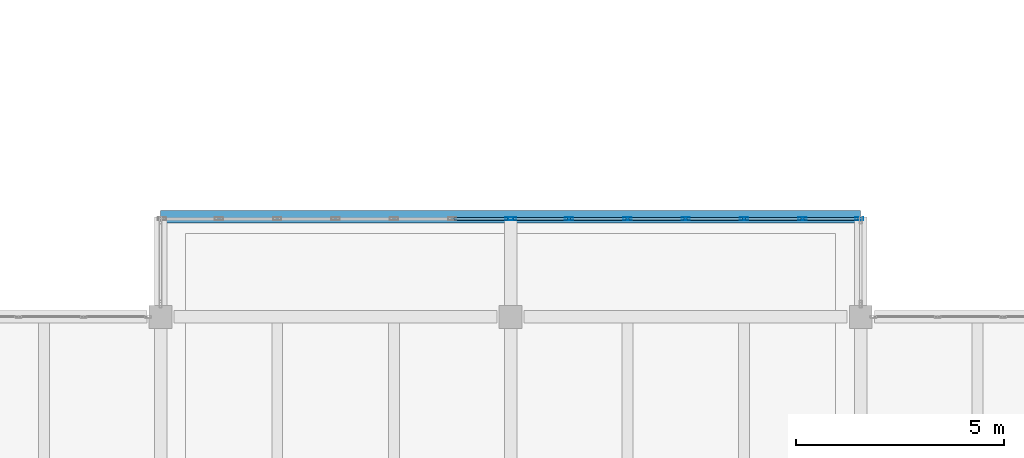
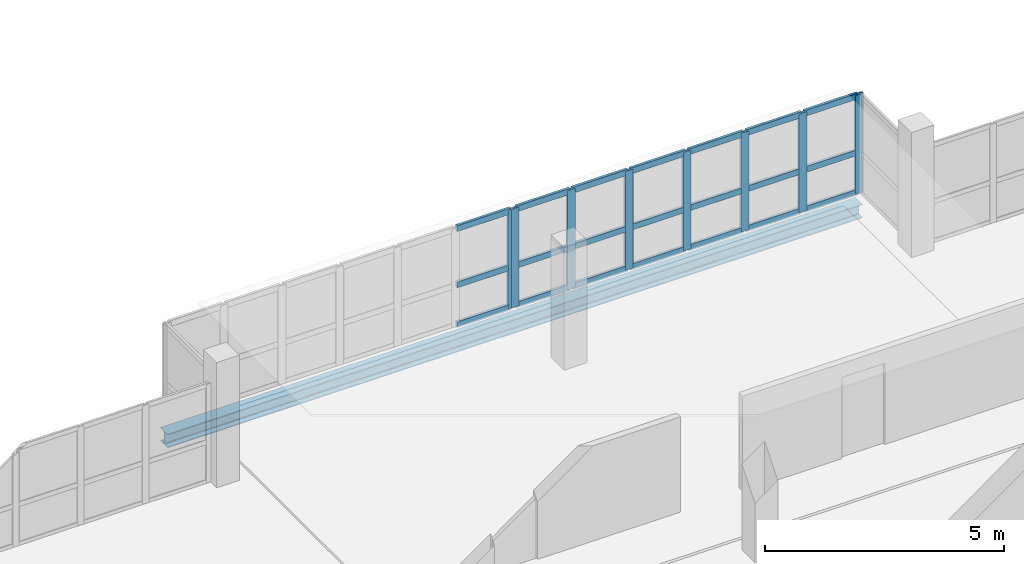
# One storey, part 13 of 24: 29 members, 1 beam, 2 elements without a shape of their own.
"""IFC4 building model written with IfcOpenShell, lengths in metres."""

import ifcopenshell
import ifcopenshell.guid

model = None  # the IFC model being written
_history = None  # IfcOwnerHistory: only IFC2X3 demands one
_inside = {}  # id of a spatial element -> (the spatial element, [elements in it])
_under = {}  # id of a project, library or spatial element -> (it, [spatial elements below it])
_declared = {}  # id of a project -> (the project, [libraries it declares])
_typed = {}  # id of a type object -> (the type object, [elements of that type])
_made_of = {}  # id of a material, layer set ... -> (it, [elements and type objects made of it])


def new_model(schema):
    """Start an empty IFC model of exactly this schema.

    Asked for "IFC4X3", IfcOpenShell would pick the latest addendum, in which some entities
    have other attributes; the version numbers below select the first issue.
    IFC2X3 requires an IfcOwnerHistory on every rooted entity: one is made here for all.
    """
    global model, _history
    if schema == "IFC4X3":
        model = ifcopenshell.file(schema_version=(4, 3, 0, 0))
    else:
        model = ifcopenshell.file(schema=schema)
    _inside.clear()
    _under.clear()
    _declared.clear()
    _typed.clear()
    _made_of.clear()
    _history = None
    if model.schema == "IFC2X3":
        org = make("IfcOrganization", Name="unknown")
        user = make(
            "IfcPersonAndOrganization",
            ThePerson=make("IfcPerson", FamilyName="unknown"),
            TheOrganization=org,
        )
        app = make(
            "IfcApplication",
            ApplicationDeveloper=org,
            Version="unknown",
            ApplicationFullName="unknown",
            ApplicationIdentifier="unknown",
        )
        _history = make(
            "IfcOwnerHistory",
            OwningUser=user,
            OwningApplication=app,
            ChangeAction="ADDED",
            CreationDate=0,
        )
    return model


def make(cls, **values):
    """One entity of the class cls with the attributes given. An attribute that is None is left unset."""
    return model.create_entity(
        cls, **{name: value for name, value in values.items() if value is not None}
    )


def rooted(cls, **values):
    """An entity with a GlobalId (a new one), such as an element, a storey or a relation."""
    return make(cls, GlobalId=ifcopenshell.guid.new(), OwnerHistory=_history, **values)


def si_unit(unit_type, name, prefix=None):
    """IfcSIUnit, for example si_unit("LENGTHUNIT", "METRE", prefix="MILLI")."""
    return make("IfcSIUnit", UnitType=unit_type, Prefix=prefix, Name=name)


def assignment(units):
    """IfcUnitAssignment: the units of a project."""
    return None if units is None else make("IfcUnitAssignment", Units=units)


def point(xyz):
    """IfcCartesianPoint."""
    return None if xyz is None else make("IfcCartesianPoint", Coordinates=xyz)


def direction(xyz):
    """IfcDirection."""
    return None if xyz is None else make("IfcDirection", DirectionRatios=xyz)


def frame(location, z_axis=None, x_axis=None):
    """IfcAxis2Placement3D, a coordinate frame: its origin and axes. An axis left out is left unset."""
    return make(
        "IfcAxis2Placement3D",
        Location=point(location),
        Axis=direction(z_axis),
        RefDirection=direction(x_axis),
    )


def frame_2d(location, x_axis=None):
    """IfcAxis2Placement2D, a coordinate frame in the plane: its origin and x axis."""
    return make(
        "IfcAxis2Placement2D", Location=point(location), RefDirection=direction(x_axis)
    )


def origin():
    """The frame at (0, 0, 0) with its axes left unset."""
    return frame((0.0, 0.0, 0.0))


def origin_2d():
    """The frame at (0, 0) in the plane with its x axis left unset."""
    return frame_2d((0.0, 0.0))


def place(relative_to, where):
    """IfcLocalPlacement: puts the frame where relative to a parent placement (None: the world)."""
    return make(
        "IfcLocalPlacement", PlacementRelTo=relative_to, RelativePlacement=where
    )


def context(
    kind, dimensions, precision=None, world=None, true_north=None, identifier=None
):
    """IfcGeometricRepresentationContext, for example the 3D "Model" context."""
    return make(
        "IfcGeometricRepresentationContext",
        ContextIdentifier=identifier,
        ContextType=kind,
        CoordinateSpaceDimension=dimensions,
        Precision=precision,
        WorldCoordinateSystem=world,
        TrueNorth=true_north,
    )


def subcontext(parent, identifier, kind, view, scale=None):
    """IfcGeometricRepresentationSubContext, for example "Body" below "Model"."""
    return make(
        "IfcGeometricRepresentationSubContext",
        ContextIdentifier=identifier,
        ContextType=kind,
        ParentContext=parent,
        TargetScale=scale,
        TargetView=view,
    )


def project(units=None, contexts=None):
    """IfcProject with its units and contexts."""
    return rooted(
        "IfcProject",
        Name="project",
        RepresentationContexts=contexts,
        UnitsInContext=assignment(units),
    )


def spatial(cls, under=None, at=None, **own):
    """A site, building, storey or space (cls), placed at a placement, below another one or the project."""
    s = rooted(cls, ObjectPlacement=at, **own)
    if under is not None:
        _under.setdefault(under.id(), (under, []))[1].append(s)
    return s


def profile(cls, at=None, kind="AREA", **sizes):
    """A parametric profile (cls). Its sizes go by their IFC names, for example OverallWidth=200.0."""
    return make(cls, ProfileType=kind, Position=at, **sizes)


def hollow_rectangle(**sizes):
    """IfcRectangleHollowProfileDef."""
    return profile("IfcRectangleHollowProfileDef", **sizes)


def i_section(**sizes):
    """IfcIShapeProfileDef."""
    return profile("IfcIShapeProfileDef", **sizes)


def extrude(swept, where, along, depth):
    """IfcExtrudedAreaSolid: the profile swept, set in the frame where, extruded along a direction by depth."""
    return make(
        "IfcExtrudedAreaSolid",
        SweptArea=swept,
        Position=where,
        ExtrudedDirection=direction(along),
        Depth=depth,
    )


def shape(context_of_items, identifier, shape_type, items):
    """IfcShapeRepresentation: the items that make up one representation, for example the "Body"."""
    return make(
        "IfcShapeRepresentation",
        ContextOfItems=context_of_items,
        RepresentationIdentifier=identifier,
        RepresentationType=shape_type,
        Items=items,
    )


def material(Name=None, Category=None):
    """IfcMaterial."""
    return make("IfcMaterial", Name=Name, Category=Category)


def layer(
    of_material, thickness, ventilated=None, Name=None, Category=None, Priority=None
):
    """IfcMaterialLayer: one layer of a wall or slab, of a material (None: an air gap)."""
    return make(
        "IfcMaterialLayer",
        Material=of_material,
        LayerThickness=thickness,
        IsVentilated=ventilated,
        Name=Name,
        Category=Category,
        Priority=Priority,
    )


def layer_set(layers, Name=None):
    """IfcMaterialLayerSet."""
    return make("IfcMaterialLayerSet", MaterialLayers=layers, LayerSetName=Name)


def material_profile(
    of_material, cross_section, Name=None, Category=None, Priority=None
):
    """IfcMaterialProfile: a cross section and its material."""
    return make(
        "IfcMaterialProfile",
        Name=Name,
        Material=of_material,
        Profile=cross_section,
        Priority=Priority,
        Category=Category,
    )


def profile_set(profiles, Name=None, composite=None):
    """IfcMaterialProfileSet."""
    return make(
        "IfcMaterialProfileSet",
        Name=Name,
        MaterialProfiles=profiles,
        CompositeProfile=composite,
    )


def made_of(thing, what):
    """Note that an element or type object is made of a material, layer set ...; save() writes the relation."""
    if what is not None:
        _made_of.setdefault(what.id(), (what, []))[1].append(thing)
    return thing


def type_object(cls, material=None, **own):
    """A type object (cls), such as IfcWallType, which elements share."""
    return made_of(rooted(cls, **own), material)


def element(
    cls,
    number,
    at=None,
    inside=None,
    cuts=None,
    type_object=None,
    material=None,
    context=None,
    identifier="Body",
    shape_type=None,
    held_by="IfcProductDefinitionShape",
    body=None,
    shapes=None,
    **own,
):
    """One element of the class cls, such as IfcWall. Its Tag is "e" and its number.

    at: its placement. inside: the storey or other place that contains it. cuts: it is an
    opening in that element (IfcRelVoidsElement). A single representation is given by context,
    identifier, shape_type and body (its items); several are given by shapes. held_by: the class
    of the entity that holds the representations. save() writes the other relations.
    """
    e = rooted(cls, Tag="e%d" % number, ObjectPlacement=at, **own)
    if body is not None:
        shapes = [shape(context, identifier, shape_type, body)]
    if shapes is not None:
        e.Representation = make(held_by, Representations=shapes)
    if inside is not None:
        _inside.setdefault(inside.id(), (inside, []))[1].append(e)
    if cuts is not None:
        rooted(
            "IfcRelVoidsElement", RelatingBuildingElement=cuts, RelatedOpeningElement=e
        )
    if type_object is not None:
        _typed.setdefault(type_object.id(), (type_object, []))[1].append(e)
    return made_of(e, material)


def aggregate(whole, parts):
    """IfcRelAggregates: a whole, such as a stair, and the parts it consists of."""
    return rooted("IfcRelAggregates", RelatingObject=whole, RelatedObjects=parts)


def save(model, path):
    """Write the relations noted so far, then the file.

    IfcRelAggregates (storeys below a building ...), IfcRelContainedInSpatialStructure (elements
    in a storey), IfcRelDefinesByType, IfcRelAssociatesMaterial and IfcRelDeclares: one each for
    every whole, place, type object, material and project.
    """
    for whole, parts in _under.values():
        aggregate(whole, parts)
    for where, things in _inside.values():
        rooted(
            "IfcRelContainedInSpatialStructure",
            RelatedElements=things,
            RelatingStructure=where,
        )
    for kind, things in _typed.values():
        rooted("IfcRelDefinesByType", RelatedObjects=things, RelatingType=kind)
    for what, things in _made_of.values():
        rooted("IfcRelAssociatesMaterial", RelatedObjects=things, RelatingMaterial=what)
    for by, libraries in _declared.values():
        rooted("IfcRelDeclares", RelatingContext=by, RelatedDefinitions=libraries)
    model.write(path)


model = new_model("IFC4")

# Units and contexts
model_context = context("Model", 3, precision=1e-05, world=origin(), true_north=direction((0.0, 1.0)))
body_context = subcontext(model_context, "Body", "Model", "MODEL_VIEW")
ifc_project = project(units=[si_unit("LENGTHUNIT", "METRE"), si_unit("AREAUNIT", "SQUARE_METRE"), si_unit("VOLUMEUNIT", "CUBIC_METRE"), si_unit("PLANEANGLEUNIT", "RADIAN"), si_unit("MASSUNIT", "GRAM", prefix="KILO"), si_unit("THERMODYNAMICTEMPERATUREUNIT", "KELVIN"), si_unit("POWERUNIT", "WATT")], contexts=[model_context])

# Site, building, storey
site_placement = place(None, origin())
site = spatial("IfcSite", under=ifc_project, at=site_placement, CompositionType="ELEMENT")
building_placement = place(site_placement, origin())
building = spatial("IfcBuilding", under=site, at=building_placement, Name="Mavoryth Pier Ferry Terminal", CompositionType="ELEMENT")
storey_placement = place(building_placement, frame((0.0, 0.0, 16.320068359375)))
storey = spatial("IfcBuildingStorey", under=building, at=storey_placement, Name="L04", CompositionType="ELEMENT", Elevation=16.320068359375)

# Curtain wall, member
ifc_material_1 = material(Name="Anodised Aluminium and Solar-Control Low-E Glass", Category="aluminium")
ifc_layer = layer(ifc_material_1, 0.260009765625, Name="Anodised Aluminium and Solar-Control Low-E Glass", Category="aluminium")
ifc_layer_set = layer_set([ifc_layer], Name="Anodised Aluminium and Solar-Control Low-E Glass - CW-VTSBridge-Mod1500")
curtain_wall_type = type_object("IfcCurtainWallType", Name="CW-VTSBridge-Mod1500", PredefinedType="USERDEFINED", material=ifc_layer_set)
curtain_wall_1_placement = place(storey_placement, origin())
curtain_wall_1 = element("IfcCurtainWall", 1, at=curtain_wall_1_placement, inside=storey, type_object=curtain_wall_type, Name="Curtain Wall CW-0444-152", ObjectType="UNITISED CURTAIN WALL", PredefinedType="USERDEFINED")
ifc_material_2 = material(Name="Anodised Aluminium EN AW-6063", Category="aluminium")
ifc_material_profile_1 = material_profile(ifc_material_2, hollow_rectangle(XDim=0.070068359375, YDim=0.199951171875, WallThickness=0.0048828125, InnerFilletRadius=0.0048828125, OuterFilletRadius=0.010009765625, at=origin_2d()), Name="AL-MULL 200x70x5", Category="aluminium")
ifc_profile_set_1 = profile_set([ifc_material_profile_1], Name="Anodised Aluminium EN AW-6063 - AL-MULL 200x70x5")
member_type_1 = type_object("IfcMemberType", Name="Mullion-Alum-200x70", PredefinedType="MULLION", material=ifc_profile_set_1)
member_1_placement = place(storey_placement, frame((58.764892578125, 24.35009765625, 0.0), z_axis=(0.0, 0.0, 1.0), x_axis=(0.0, -1.0, 0.0)))
member_1 = element("IfcMember", 2, at=member_1_placement, type_object=member_type_1, Name="CW07 mullion 1", PredefinedType="MULLION", context=body_context, shape_type="SweptSolid", body=[
    extrude(hollow_rectangle(XDim=0.070068359375, YDim=0.199951171875, WallThickness=0.0048828125, InnerFilletRadius=0.0048828125, OuterFilletRadius=0.010009765625, at=origin_2d()), origin(), (0.0, 0.0, 1.0), 2.52490234375),
])

# Curtain wall, members
curtain_wall_2_placement = place(storey_placement, origin())
curtain_wall_2 = element("IfcCurtainWall", 3, at=curtain_wall_2_placement, inside=storey, type_object=curtain_wall_type, Name="Curtain Wall CW-0444-154", ObjectType="UNITISED CURTAIN WALL", PredefinedType="USERDEFINED")
member_2_placement = place(storey_placement, frame((67.1650390625, 24.35009765625, 0.0), z_axis=(0.0, 0.0, 1.0), x_axis=(0.0, -1.0, 0.0)))
member_2 = element("IfcMember", 4, at=member_2_placement, type_object=member_type_1, Name="CW07 mullion 1", PredefinedType="MULLION", context=body_context, shape_type="SweptSolid", body=[
    extrude(hollow_rectangle(XDim=0.070068359375, YDim=0.199951171875, WallThickness=0.0048828125, InnerFilletRadius=0.0048828125, OuterFilletRadius=0.010009765625, at=origin_2d()), origin(), (0.0, 0.0, 1.0), 2.52490234375),
])
member_3_placement = place(storey_placement, frame((65.800048828125, 24.35009765625, 0.0), z_axis=(0.0, 0.0, 1.0), x_axis=(0.0, -1.0, 0.0)))
member_3 = element("IfcMember", 5, at=member_3_placement, type_object=member_type_1, Name="CW07 mullion 2", PredefinedType="MULLION", context=body_context, shape_type="SweptSolid", body=[
    extrude(hollow_rectangle(XDim=0.070068359375, YDim=0.199951171875, WallThickness=0.0048828125, InnerFilletRadius=0.0048828125, OuterFilletRadius=0.010009765625, at=origin_2d()), origin(), (0.0, 0.0, 1.0), 2.52490234375),
])
member_4_placement = place(storey_placement, frame((64.39990234375, 24.35009765625, 0.0), z_axis=(0.0, 0.0, 1.0), x_axis=(0.0, -1.0, 0.0)))
member_4 = element("IfcMember", 6, at=member_4_placement, type_object=member_type_1, Name="CW07 mullion 3", PredefinedType="MULLION", context=body_context, shape_type="SweptSolid", body=[
    extrude(hollow_rectangle(XDim=0.070068359375, YDim=0.199951171875, WallThickness=0.0048828125, InnerFilletRadius=0.0048828125, OuterFilletRadius=0.010009765625, at=origin_2d()), origin(), (0.0, 0.0, 1.0), 2.52490234375),
])
member_5_placement = place(storey_placement, frame((63.0, 24.35009765625, 0.0), z_axis=(0.0, 0.0, 1.0), x_axis=(0.0, -1.0, 0.0)))
member_5 = element("IfcMember", 7, at=member_5_placement, type_object=member_type_1, Name="CW07 mullion 4", PredefinedType="MULLION", context=body_context, shape_type="SweptSolid", body=[
    extrude(hollow_rectangle(XDim=0.070068359375, YDim=0.199951171875, WallThickness=0.0048828125, InnerFilletRadius=0.0048828125, OuterFilletRadius=0.010009765625, at=origin_2d()), origin(), (0.0, 0.0, 1.0), 2.52490234375),
])
member_6_placement = place(storey_placement, frame((61.60009765625, 24.35009765625, 0.0), z_axis=(0.0, 0.0, 1.0), x_axis=(0.0, -1.0, 0.0)))
member_6 = element("IfcMember", 8, at=member_6_placement, type_object=member_type_1, Name="CW07 mullion 5", PredefinedType="MULLION", context=body_context, shape_type="SweptSolid", body=[
    extrude(hollow_rectangle(XDim=0.070068359375, YDim=0.199951171875, WallThickness=0.0048828125, InnerFilletRadius=0.0048828125, OuterFilletRadius=0.010009765625, at=origin_2d()), origin(), (0.0, 0.0, 1.0), 2.52490234375),
])
member_7_placement = place(storey_placement, frame((60.199951171875, 24.35009765625, 0.0), z_axis=(0.0, 0.0, 1.0), x_axis=(0.0, -1.0, 0.0)))
member_7 = element("IfcMember", 9, at=member_7_placement, type_object=member_type_1, Name="CW07 mullion 6", PredefinedType="MULLION", context=body_context, shape_type="SweptSolid", body=[
    extrude(hollow_rectangle(XDim=0.070068359375, YDim=0.199951171875, WallThickness=0.0048828125, InnerFilletRadius=0.0048828125, OuterFilletRadius=0.010009765625, at=origin_2d()), origin(), (0.0, 0.0, 1.0), 2.52490234375),
])
member_8_placement = place(storey_placement, frame((58.8349609375, 24.35009765625, 0.0), z_axis=(0.0, 0.0, 1.0), x_axis=(0.0, -1.0, 0.0)))
member_8 = element("IfcMember", 10, at=member_8_placement, type_object=member_type_1, Name="CW07 mullion 7", PredefinedType="MULLION", context=body_context, shape_type="SweptSolid", body=[
    extrude(hollow_rectangle(XDim=0.070068359375, YDim=0.199951171875, WallThickness=0.0048828125, InnerFilletRadius=0.0048828125, OuterFilletRadius=0.010009765625, at=origin_2d()), origin(), (0.0, 0.0, 1.0), 2.52490234375),
])

# Beam
ifc_material_3 = material(Name="Steel S355J2", Category="steel")
ifc_material_profile_2 = material_profile(ifc_material_3, i_section(OverallWidth=0.300048828125, OverallDepth=0.35009765625, WebThickness=0.010009765625, FlangeThickness=0.017578125, FilletRadius=0.027099609375, at=origin_2d()), Name="HEA 360", Category="steel")
ifc_profile_set_2 = profile_set([ifc_material_profile_2], Name="Steel S355J2 - HEA 360")
beam_type = type_object("IfcBeamType", Name="Spandrel-Steel-HEA360", PredefinedType="SPANDREL", material=ifc_profile_set_2)
beam_placement = place(storey_placement, frame((50.39990234375, 24.39990234375, -0.43505859375), z_axis=(1.0, 0.0, 0.0), x_axis=(0.0, 1.0, 0.0)))
element("IfcBeam", 11, at=beam_placement, inside=storey, type_object=beam_type, Name="Beam B04-SP03-1599", PredefinedType="SPANDREL", context=body_context, shape_type="SweptSolid", body=[
    extrude(i_section(OverallWidth=0.300048828125, OverallDepth=0.35009765625, WebThickness=0.010009765625, FlangeThickness=0.017578125, FilletRadius=0.027099609375, at=origin_2d()), origin(), (0.0, 0.0, 1.0), 16.800048828125),
])

# Member
ifc_material_profile_3 = material_profile(ifc_material_2, hollow_rectangle(XDim=0.070068359375, YDim=0.155029296875, WallThickness=0.00390625, InnerFilletRadius=0.00390625, OuterFilletRadius=0.008056640625, at=origin_2d()), Name="AL-TRAN 155x70x4", Category="aluminium")
ifc_profile_set_3 = profile_set([ifc_material_profile_3], Name="Anodised Aluminium EN AW-6063 - AL-TRAN 155x70x4")
member_type_2 = type_object("IfcMemberType", Name="Transom-Alum-155x70", PredefinedType="USERDEFINED", material=ifc_profile_set_3)
member_9_placement = place(storey_placement, frame((58.72998046875, 24.35009765625, 0.034912109375), z_axis=(-1.0, 0.0, 0.0), x_axis=(0.0, -1.0, 0.0)))
member_9 = element("IfcMember", 12, at=member_9_placement, type_object=member_type_2, Name="CW07 transom 1.1", ObjectType="TRANSOM", PredefinedType="USERDEFINED", context=body_context, shape_type="SweptSolid", body=[
    extrude(hollow_rectangle(XDim=0.070068359375, YDim=0.155029296875, WallThickness=0.00390625, InnerFilletRadius=0.00390625, OuterFilletRadius=0.008056640625, at=origin_2d()), origin(), (0.0, 0.0, 1.0), 1.294921875),
])

member_10_placement = place(storey_placement, frame((58.72998046875, 24.35009765625, 1.050048828125), z_axis=(-1.0, 0.0, 0.0), x_axis=(0.0, -1.0, 0.0)))
member_10 = element("IfcMember", 13, at=member_10_placement, type_object=member_type_2, Name="CW07 transom 1.2", ObjectType="TRANSOM", PredefinedType="USERDEFINED", context=body_context, shape_type="SweptSolid", body=[
    extrude(hollow_rectangle(XDim=0.070068359375, YDim=0.155029296875, WallThickness=0.00390625, InnerFilletRadius=0.00390625, OuterFilletRadius=0.008056640625, at=origin_2d()), origin(), (0.0, 0.0, 1.0), 1.294921875),
])

member_11_placement = place(storey_placement, frame((58.72998046875, 24.35009765625, 2.489990234375), z_axis=(-1.0, 0.0, 0.0), x_axis=(0.0, -1.0, 0.0)))
member_11 = element("IfcMember", 14, at=member_11_placement, type_object=member_type_2, Name="CW07 transom 1.3", ObjectType="TRANSOM", PredefinedType="USERDEFINED", context=body_context, shape_type="SweptSolid", body=[
    extrude(hollow_rectangle(XDim=0.070068359375, YDim=0.155029296875, WallThickness=0.00390625, InnerFilletRadius=0.00390625, OuterFilletRadius=0.008056640625, at=origin_2d()), origin(), (0.0, 0.0, 1.0), 1.294921875),
])

aggregate(curtain_wall_1, [member_1, member_9, member_10, member_11])

member_12_placement = place(storey_placement, frame((67.1298828125, 24.35009765625, 0.034912109375), z_axis=(-1.0, 0.0, 0.0), x_axis=(0.0, -1.0, 0.0)))
member_12 = element("IfcMember", 15, at=member_12_placement, type_object=member_type_2, Name="CW07 transom 1.1", ObjectType="TRANSOM", PredefinedType="USERDEFINED", context=body_context, shape_type="SweptSolid", body=[
    extrude(hollow_rectangle(XDim=0.070068359375, YDim=0.155029296875, WallThickness=0.00390625, InnerFilletRadius=0.00390625, OuterFilletRadius=0.008056640625, at=origin_2d()), origin(), (0.0, 0.0, 1.0), 1.294921875),
])

member_13_placement = place(storey_placement, frame((67.1298828125, 24.35009765625, 1.050048828125), z_axis=(-1.0, 0.0, 0.0), x_axis=(0.0, -1.0, 0.0)))
member_13 = element("IfcMember", 16, at=member_13_placement, type_object=member_type_2, Name="CW07 transom 1.2", ObjectType="TRANSOM", PredefinedType="USERDEFINED", context=body_context, shape_type="SweptSolid", body=[
    extrude(hollow_rectangle(XDim=0.070068359375, YDim=0.155029296875, WallThickness=0.00390625, InnerFilletRadius=0.00390625, OuterFilletRadius=0.008056640625, at=origin_2d()), origin(), (0.0, 0.0, 1.0), 1.294921875),
])

member_14_placement = place(storey_placement, frame((67.1298828125, 24.35009765625, 2.489990234375), z_axis=(-1.0, 0.0, 0.0), x_axis=(0.0, -1.0, 0.0)))
member_14 = element("IfcMember", 17, at=member_14_placement, type_object=member_type_2, Name="CW07 transom 1.3", ObjectType="TRANSOM", PredefinedType="USERDEFINED", context=body_context, shape_type="SweptSolid", body=[
    extrude(hollow_rectangle(XDim=0.070068359375, YDim=0.155029296875, WallThickness=0.00390625, InnerFilletRadius=0.00390625, OuterFilletRadius=0.008056640625, at=origin_2d()), origin(), (0.0, 0.0, 1.0), 1.294921875),
])

member_15_placement = place(storey_placement, frame((65.764892578125, 24.35009765625, 0.034912109375), z_axis=(-1.0, 0.0, 0.0), x_axis=(0.0, -1.0, 0.0)))
member_15 = element("IfcMember", 18, at=member_15_placement, type_object=member_type_2, Name="CW07 transom 2.1", ObjectType="TRANSOM", PredefinedType="USERDEFINED", context=body_context, shape_type="SweptSolid", body=[
    extrude(hollow_rectangle(XDim=0.070068359375, YDim=0.155029296875, WallThickness=0.00390625, InnerFilletRadius=0.00390625, OuterFilletRadius=0.008056640625, at=origin_2d()), origin(), (0.0, 0.0, 1.0), 1.329833984375),
])

member_16_placement = place(storey_placement, frame((65.764892578125, 24.35009765625, 1.050048828125), z_axis=(-1.0, 0.0, 0.0), x_axis=(0.0, -1.0, 0.0)))
member_16 = element("IfcMember", 19, at=member_16_placement, type_object=member_type_2, Name="CW07 transom 2.2", ObjectType="TRANSOM", PredefinedType="USERDEFINED", context=body_context, shape_type="SweptSolid", body=[
    extrude(hollow_rectangle(XDim=0.070068359375, YDim=0.155029296875, WallThickness=0.00390625, InnerFilletRadius=0.00390625, OuterFilletRadius=0.008056640625, at=origin_2d()), origin(), (0.0, 0.0, 1.0), 1.329833984375),
])

member_17_placement = place(storey_placement, frame((65.764892578125, 24.35009765625, 2.489990234375), z_axis=(-1.0, 0.0, 0.0), x_axis=(0.0, -1.0, 0.0)))
member_17 = element("IfcMember", 20, at=member_17_placement, type_object=member_type_2, Name="CW07 transom 2.3", ObjectType="TRANSOM", PredefinedType="USERDEFINED", context=body_context, shape_type="SweptSolid", body=[
    extrude(hollow_rectangle(XDim=0.070068359375, YDim=0.155029296875, WallThickness=0.00390625, InnerFilletRadius=0.00390625, OuterFilletRadius=0.008056640625, at=origin_2d()), origin(), (0.0, 0.0, 1.0), 1.329833984375),
])

member_18_placement = place(storey_placement, frame((64.364990234375, 24.35009765625, 0.034912109375), z_axis=(-1.0, 0.0, 0.0), x_axis=(0.0, -1.0, 0.0)))
member_18 = element("IfcMember", 21, at=member_18_placement, type_object=member_type_2, Name="CW07 transom 3.1", ObjectType="TRANSOM", PredefinedType="USERDEFINED", context=body_context, shape_type="SweptSolid", body=[
    extrude(hollow_rectangle(XDim=0.070068359375, YDim=0.155029296875, WallThickness=0.00390625, InnerFilletRadius=0.00390625, OuterFilletRadius=0.008056640625, at=origin_2d()), origin(), (0.0, 0.0, 1.0), 1.330078125),
])

member_19_placement = place(storey_placement, frame((64.364990234375, 24.35009765625, 1.050048828125), z_axis=(-1.0, 0.0, 0.0), x_axis=(0.0, -1.0, 0.0)))
member_19 = element("IfcMember", 22, at=member_19_placement, type_object=member_type_2, Name="CW07 transom 3.2", ObjectType="TRANSOM", PredefinedType="USERDEFINED", context=body_context, shape_type="SweptSolid", body=[
    extrude(hollow_rectangle(XDim=0.070068359375, YDim=0.155029296875, WallThickness=0.00390625, InnerFilletRadius=0.00390625, OuterFilletRadius=0.008056640625, at=origin_2d()), origin(), (0.0, 0.0, 1.0), 1.330078125),
])

member_20_placement = place(storey_placement, frame((64.364990234375, 24.35009765625, 2.489990234375), z_axis=(-1.0, 0.0, 0.0), x_axis=(0.0, -1.0, 0.0)))
member_20 = element("IfcMember", 23, at=member_20_placement, type_object=member_type_2, Name="CW07 transom 3.3", ObjectType="TRANSOM", PredefinedType="USERDEFINED", context=body_context, shape_type="SweptSolid", body=[
    extrude(hollow_rectangle(XDim=0.070068359375, YDim=0.155029296875, WallThickness=0.00390625, InnerFilletRadius=0.00390625, OuterFilletRadius=0.008056640625, at=origin_2d()), origin(), (0.0, 0.0, 1.0), 1.330078125),
])

member_21_placement = place(storey_placement, frame((62.965087890625, 24.35009765625, 0.034912109375), z_axis=(-1.0, 0.0, 0.0), x_axis=(0.0, -1.0, 0.0)))
member_21 = element("IfcMember", 24, at=member_21_placement, type_object=member_type_2, Name="CW07 transom 4.1", ObjectType="TRANSOM", PredefinedType="USERDEFINED", context=body_context, shape_type="SweptSolid", body=[
    extrude(hollow_rectangle(XDim=0.070068359375, YDim=0.155029296875, WallThickness=0.00390625, InnerFilletRadius=0.00390625, OuterFilletRadius=0.008056640625, at=origin_2d()), origin(), (0.0, 0.0, 1.0), 1.330078125),
])

member_22_placement = place(storey_placement, frame((62.965087890625, 24.35009765625, 1.050048828125), z_axis=(-1.0, 0.0, 0.0), x_axis=(0.0, -1.0, 0.0)))
member_22 = element("IfcMember", 25, at=member_22_placement, type_object=member_type_2, Name="CW07 transom 4.2", ObjectType="TRANSOM", PredefinedType="USERDEFINED", context=body_context, shape_type="SweptSolid", body=[
    extrude(hollow_rectangle(XDim=0.070068359375, YDim=0.155029296875, WallThickness=0.00390625, InnerFilletRadius=0.00390625, OuterFilletRadius=0.008056640625, at=origin_2d()), origin(), (0.0, 0.0, 1.0), 1.330078125),
])

member_23_placement = place(storey_placement, frame((62.965087890625, 24.35009765625, 2.489990234375), z_axis=(-1.0, 0.0, 0.0), x_axis=(0.0, -1.0, 0.0)))
member_23 = element("IfcMember", 26, at=member_23_placement, type_object=member_type_2, Name="CW07 transom 4.3", ObjectType="TRANSOM", PredefinedType="USERDEFINED", context=body_context, shape_type="SweptSolid", body=[
    extrude(hollow_rectangle(XDim=0.070068359375, YDim=0.155029296875, WallThickness=0.00390625, InnerFilletRadius=0.00390625, OuterFilletRadius=0.008056640625, at=origin_2d()), origin(), (0.0, 0.0, 1.0), 1.330078125),
])

member_24_placement = place(storey_placement, frame((61.56494140625, 24.35009765625, 0.034912109375), z_axis=(-1.0, 0.0, 0.0), x_axis=(0.0, -1.0, 0.0)))
member_24 = element("IfcMember", 27, at=member_24_placement, type_object=member_type_2, Name="CW07 transom 5.1", ObjectType="TRANSOM", PredefinedType="USERDEFINED", context=body_context, shape_type="SweptSolid", body=[
    extrude(hollow_rectangle(XDim=0.070068359375, YDim=0.155029296875, WallThickness=0.00390625, InnerFilletRadius=0.00390625, OuterFilletRadius=0.008056640625, at=origin_2d()), origin(), (0.0, 0.0, 1.0), 1.329833984375),
])

member_25_placement = place(storey_placement, frame((61.56494140625, 24.35009765625, 1.050048828125), z_axis=(-1.0, 0.0, 0.0), x_axis=(0.0, -1.0, 0.0)))
member_25 = element("IfcMember", 28, at=member_25_placement, type_object=member_type_2, Name="CW07 transom 5.2", ObjectType="TRANSOM", PredefinedType="USERDEFINED", context=body_context, shape_type="SweptSolid", body=[
    extrude(hollow_rectangle(XDim=0.070068359375, YDim=0.155029296875, WallThickness=0.00390625, InnerFilletRadius=0.00390625, OuterFilletRadius=0.008056640625, at=origin_2d()), origin(), (0.0, 0.0, 1.0), 1.329833984375),
])

member_26_placement = place(storey_placement, frame((61.56494140625, 24.35009765625, 2.489990234375), z_axis=(-1.0, 0.0, 0.0), x_axis=(0.0, -1.0, 0.0)))
member_26 = element("IfcMember", 29, at=member_26_placement, type_object=member_type_2, Name="CW07 transom 5.3", ObjectType="TRANSOM", PredefinedType="USERDEFINED", context=body_context, shape_type="SweptSolid", body=[
    extrude(hollow_rectangle(XDim=0.070068359375, YDim=0.155029296875, WallThickness=0.00390625, InnerFilletRadius=0.00390625, OuterFilletRadius=0.008056640625, at=origin_2d()), origin(), (0.0, 0.0, 1.0), 1.329833984375),
])

member_27_placement = place(storey_placement, frame((60.1650390625, 24.35009765625, 0.034912109375), z_axis=(-1.0, 0.0, 0.0), x_axis=(0.0, -1.0, 0.0)))
member_27 = element("IfcMember", 30, at=member_27_placement, type_object=member_type_2, Name="CW07 transom 6.1", ObjectType="TRANSOM", PredefinedType="USERDEFINED", context=body_context, shape_type="SweptSolid", body=[
    extrude(hollow_rectangle(XDim=0.070068359375, YDim=0.155029296875, WallThickness=0.00390625, InnerFilletRadius=0.00390625, OuterFilletRadius=0.008056640625, at=origin_2d()), origin(), (0.0, 0.0, 1.0), 1.294921875),
])

member_28_placement = place(storey_placement, frame((60.1650390625, 24.35009765625, 1.050048828125), z_axis=(-1.0, 0.0, 0.0), x_axis=(0.0, -1.0, 0.0)))
member_28 = element("IfcMember", 31, at=member_28_placement, type_object=member_type_2, Name="CW07 transom 6.2", ObjectType="TRANSOM", PredefinedType="USERDEFINED", context=body_context, shape_type="SweptSolid", body=[
    extrude(hollow_rectangle(XDim=0.070068359375, YDim=0.155029296875, WallThickness=0.00390625, InnerFilletRadius=0.00390625, OuterFilletRadius=0.008056640625, at=origin_2d()), origin(), (0.0, 0.0, 1.0), 1.294921875),
])

member_29_placement = place(storey_placement, frame((60.1650390625, 24.35009765625, 2.489990234375), z_axis=(-1.0, 0.0, 0.0), x_axis=(0.0, -1.0, 0.0)))
member_29 = element("IfcMember", 32, at=member_29_placement, type_object=member_type_2, Name="CW07 transom 6.3", ObjectType="TRANSOM", PredefinedType="USERDEFINED", context=body_context, shape_type="SweptSolid", body=[
    extrude(hollow_rectangle(XDim=0.070068359375, YDim=0.155029296875, WallThickness=0.00390625, InnerFilletRadius=0.00390625, OuterFilletRadius=0.008056640625, at=origin_2d()), origin(), (0.0, 0.0, 1.0), 1.294921875),
])

aggregate(curtain_wall_2, [member_2, member_3, member_4, member_5, member_6, member_7, member_8, member_12, member_13, member_14, member_15, member_16, member_17, member_18, member_19, member_20, member_21, member_22, member_23, member_24, member_25, member_26, member_27, member_28, member_29])

save(model, "model.ifc")
